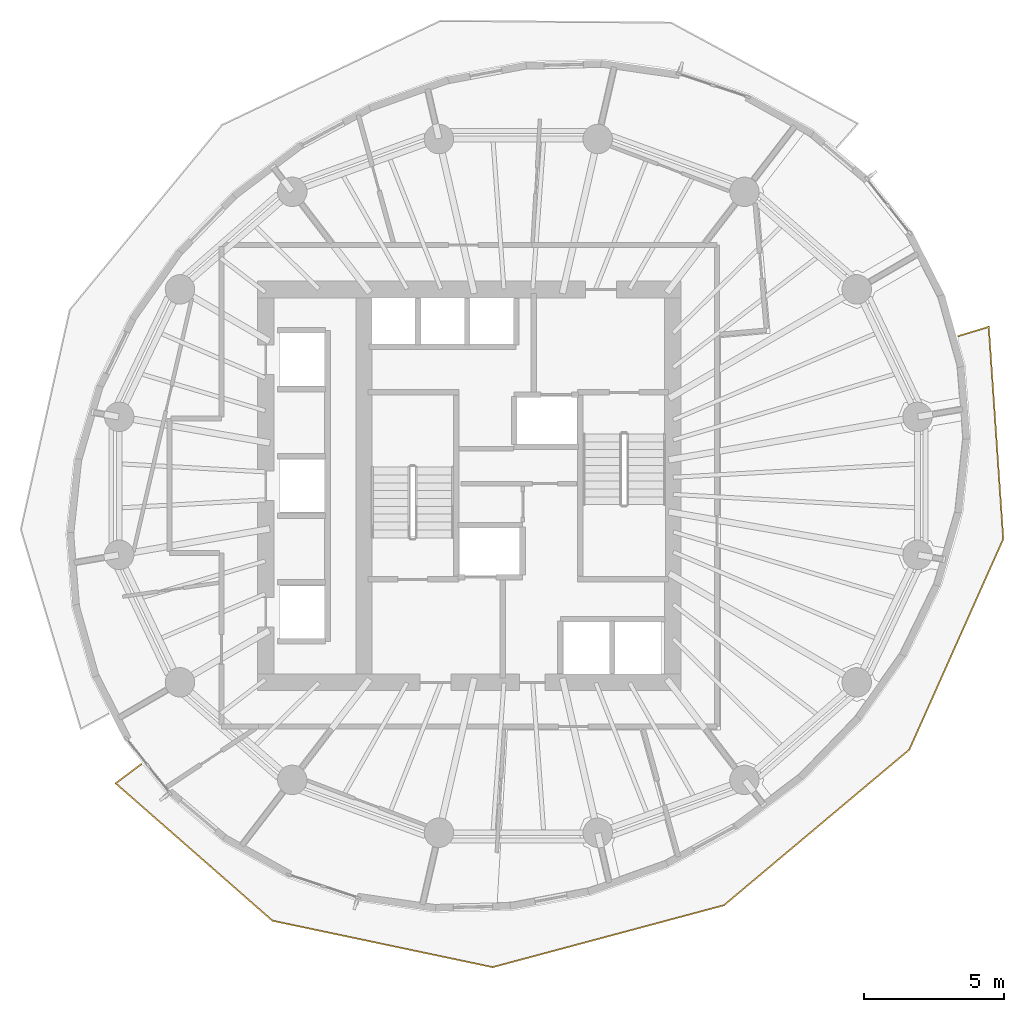
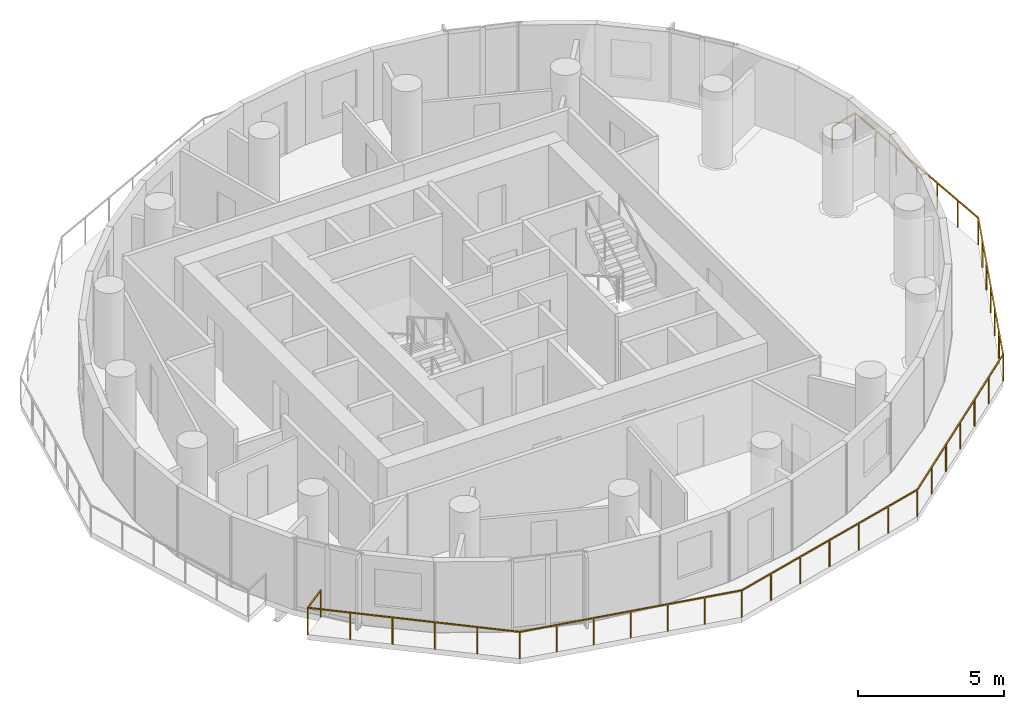
# One storey, part 9 of 12: 1 railing.
"""IFC4 building model written with IfcOpenShell, lengths in metres."""

from ifc_helpers import new_model, si_unit, direction, frame, origin, origin_2d, place, context, subcontext, project, spatial, rectangle, extrude, material, type_object, element, save


model = new_model("IFC4")

# Units and contexts
model_context = context("Model", 3, precision=1e-05, world=origin(), true_north=direction((0.0, 1.0)))
body_context = subcontext(model_context, "Body", "Model", "MODEL_VIEW")
ifc_project = project(units=[si_unit("LENGTHUNIT", "METRE"), si_unit("AREAUNIT", "SQUARE_METRE"), si_unit("VOLUMEUNIT", "CUBIC_METRE"), si_unit("PLANEANGLEUNIT", "RADIAN"), si_unit("MASSUNIT", "GRAM", prefix="KILO")], contexts=[model_context])

# Site, building, storey
site_placement = place(None, origin())
site = spatial("IfcSite", under=ifc_project, at=site_placement, CompositionType="ELEMENT")
building_placement = place(site_placement, origin())
building = spatial("IfcBuilding", under=site, at=building_placement, Name="Veldorim Arch Residences", CompositionType="ELEMENT")
storey_placement = place(building_placement, frame((0.0, 0.0, 136.159912109375)))
storey = spatial("IfcBuildingStorey", under=building, at=storey_placement, Name="L40", CompositionType="ELEMENT", Elevation=136.159912109375)

# Railing
ifc_material = material(Name="Aluminium", Category="aluminium")
railing_type = type_object("IfcRailingType", Name="Balcony & Terrace Laminated Glass Balustrade 1150", PredefinedType="BALUSTRADE", material=ifc_material)
railing_placement = place(storey_placement, frame((18.569580078125, 14.0927734375, 0.0)))
element("IfcRailing", 1, at=railing_placement, inside=storey, type_object=railing_type, Name="L40 crescent balcony safety balustrade B", PredefinedType="BALUSTRADE", context=body_context, shape_type="SweptSolid", body=[
    extrude(rectangle(XDim=0.048095703125, YDim=0.048095703125, at=origin_2d()), frame((0.0, 0.0, 1.1259765625), z_axis=(-0.799005189212, -0.60132412858, 0.0), x_axis=(0.60132412858, -0.799005189212, 0.0)), (0.0, 0.0, 1.0), 1.14990234375),
    extrude(rectangle(XDim=0.048095703125, YDim=0.048095703125, at=origin_2d()), frame((-0.918701171875, -0.69140625, 1.1259765625), z_axis=(0.752091986719, -0.65905814881, 0.0), x_axis=(0.65905814881, 0.752091986719, 0.0)), (0.0, 0.0, 1.0), 7.42919921875),
    extrude(rectangle(XDim=0.048095703125, YDim=0.048095703125, at=origin_2d()), frame((4.668701171875, -5.587646484375, 1.1259765625), z_axis=(0.978449867338, -0.206484520259, 0.0), x_axis=(0.206484520259, 0.978449867338, 0.0)), (0.0, 0.0, 1.0), 8.02001953125),
    extrude(rectangle(XDim=0.048095703125, YDim=0.048095703125, at=origin_2d()), frame((12.515869140625, -7.24365234375, 1.1259765625), z_axis=(0.965983283488, 0.258604516629, 0.0), x_axis=(-0.258604516629, 0.965983283488, 0.0)), (0.0, 0.0, 1.0), 8.533447265625),
    extrude(rectangle(XDim=0.048095703125, YDim=0.048095703125, at=origin_2d()), frame((20.759033203125, -5.036865234375, 1.1259765625), z_axis=(0.765860462133, 0.643006805983, 0.0), x_axis=(-0.643006805983, 0.765860462133, 0.0)), (0.0, 0.0, 1.0), 8.62255859375),
    extrude(rectangle(XDim=0.048095703125, YDim=0.048095703125, at=origin_2d()), frame((27.36279296875, 0.507568359375, 1.1259765625), z_axis=(0.407229376237, 0.913325919445, 0.0), x_axis=(-0.913325919445, 0.407229376237, 0.0)), (0.0, 0.0, 1.0), 8.220458984375),
    extrude(rectangle(XDim=0.048095703125, YDim=0.048095703125, at=origin_2d()), frame((30.71044921875, 8.015625, 1.1259765625), z_axis=(-0.068255718244, 0.997667859023, 0.0), x_axis=(-0.997667859023, -0.068255718244, 0.0)), (0.0, 0.0, 1.0), 7.57568359375),
    extrude(rectangle(XDim=0.048095703125, YDim=0.048095703125, at=origin_2d()), frame((30.193359375, 15.57373046875, 1.1259765625), z_axis=(-0.957281150687, -0.289158777386, 0.0), x_axis=(0.289158777386, -0.957281150687, 0.0)), (0.0, 0.0, 1.0), 1.14990234375),
    extrude(rectangle(XDim=0.0419921875, YDim=0.0419921875, at=origin_2d()), origin(), (0.0, 0.0, 1.0), 1.101806640625),
    extrude(rectangle(XDim=0.0419921875, YDim=0.0419921875, at=origin_2d()), frame((-0.918701171875, -0.69140625, 0.0)), (0.0, 0.0, 1.0), 1.101806640625),
    extrude(rectangle(XDim=0.0419921875, YDim=0.0419921875, at=origin_2d()), frame((0.19873046875, -1.670654296875, 0.0)), (0.0, 0.0, 1.0), 1.101806640625),
    extrude(rectangle(XDim=0.0419921875, YDim=0.0419921875, at=origin_2d()), frame((1.316162109375, -2.64990234375, 0.0)), (0.0, 0.0, 1.0), 1.101806640625),
    extrude(rectangle(XDim=0.0419921875, YDim=0.0419921875, at=origin_2d()), frame((2.433837890625, -3.629150390625, 0.0)), (0.0, 0.0, 1.0), 1.101806640625),
    extrude(rectangle(XDim=0.0419921875, YDim=0.0419921875, at=origin_2d()), frame((3.55126953125, -4.6083984375, 0.0)), (0.0, 0.0, 1.0), 1.101806640625),
    extrude(rectangle(XDim=0.0419921875, YDim=0.0419921875, at=origin_2d()), frame((4.668701171875, -5.587646484375, 0.0)), (0.0, 0.0, 1.0), 1.101806640625),
    extrude(rectangle(XDim=0.0419921875, YDim=0.0419921875, at=origin_2d()), frame((5.9765625, -5.86376953125, 0.0)), (0.0, 0.0, 1.0), 1.101806640625),
    extrude(rectangle(XDim=0.0419921875, YDim=0.0419921875, at=origin_2d()), frame((7.284423828125, -6.1396484375, 0.0)), (0.0, 0.0, 1.0), 1.101806640625),
    extrude(rectangle(XDim=0.0419921875, YDim=0.0419921875, at=origin_2d()), frame((8.59228515625, -6.41552734375, 0.0)), (0.0, 0.0, 1.0), 1.101806640625),
    extrude(rectangle(XDim=0.0419921875, YDim=0.0419921875, at=origin_2d()), frame((9.900146484375, -6.691650390625, 0.0)), (0.0, 0.0, 1.0), 1.101806640625),
    extrude(rectangle(XDim=0.0419921875, YDim=0.0419921875, at=origin_2d()), frame((11.2080078125, -6.9677734375, 0.0)), (0.0, 0.0, 1.0), 1.101806640625),
    extrude(rectangle(XDim=0.0419921875, YDim=0.0419921875, at=origin_2d()), frame((12.515869140625, -7.24365234375, 0.0)), (0.0, 0.0, 1.0), 1.101806640625),
    extrude(rectangle(XDim=0.0419921875, YDim=0.0419921875, at=origin_2d()), frame((13.8896484375, -6.8759765625, 0.0)), (0.0, 0.0, 1.0), 1.101806640625),
    extrude(rectangle(XDim=0.0419921875, YDim=0.0419921875, at=origin_2d()), frame((15.263671875, -6.508056640625, 0.0)), (0.0, 0.0, 1.0), 1.101806640625),
    extrude(rectangle(XDim=0.0419921875, YDim=0.0419921875, at=origin_2d()), frame((16.637451171875, -6.14013671875, 0.0)), (0.0, 0.0, 1.0), 1.101806640625),
    extrude(rectangle(XDim=0.0419921875, YDim=0.0419921875, at=origin_2d()), frame((18.01123046875, -5.7724609375, 0.0)), (0.0, 0.0, 1.0), 1.101806640625),
    extrude(rectangle(XDim=0.0419921875, YDim=0.0419921875, at=origin_2d()), frame((19.38525390625, -5.40478515625, 0.0)), (0.0, 0.0, 1.0), 1.101806640625),
    extrude(rectangle(XDim=0.0419921875, YDim=0.0419921875, at=origin_2d()), frame((20.759033203125, -5.036865234375, 0.0)), (0.0, 0.0, 1.0), 1.101806640625),
    extrude(rectangle(XDim=0.0419921875, YDim=0.0419921875, at=origin_2d()), frame((21.859619140625, -4.11279296875, 0.0)), (0.0, 0.0, 1.0), 1.101806640625),
    extrude(rectangle(XDim=0.0419921875, YDim=0.0419921875, at=origin_2d()), frame((22.960205078125, -3.188720703125, 0.0)), (0.0, 0.0, 1.0), 1.101806640625),
    extrude(rectangle(XDim=0.0419921875, YDim=0.0419921875, at=origin_2d()), frame((24.06103515625, -2.2646484375, 0.0)), (0.0, 0.0, 1.0), 1.101806640625),
    extrude(rectangle(XDim=0.0419921875, YDim=0.0419921875, at=origin_2d()), frame((25.16162109375, -1.340576171875, 0.0)), (0.0, 0.0, 1.0), 1.101806640625),
    extrude(rectangle(XDim=0.0419921875, YDim=0.0419921875, at=origin_2d()), frame((26.26220703125, -0.41650390625, 0.0)), (0.0, 0.0, 1.0), 1.101806640625),
    extrude(rectangle(XDim=0.0419921875, YDim=0.0419921875, at=origin_2d()), frame((27.36279296875, 0.507568359375, 0.0)), (0.0, 0.0, 1.0), 1.101806640625),
    extrude(rectangle(XDim=0.0419921875, YDim=0.0419921875, at=origin_2d()), frame((27.920654296875, 1.7587890625, 0.0)), (0.0, 0.0, 1.0), 1.101806640625),
    extrude(rectangle(XDim=0.0419921875, YDim=0.0419921875, at=origin_2d()), frame((28.478759765625, 3.01025390625, 0.0)), (0.0, 0.0, 1.0), 1.101806640625),
    extrude(rectangle(XDim=0.0419921875, YDim=0.0419921875, at=origin_2d()), frame((29.03662109375, 4.26171875, 0.0)), (0.0, 0.0, 1.0), 1.101806640625),
    extrude(rectangle(XDim=0.0419921875, YDim=0.0419921875, at=origin_2d()), frame((29.594482421875, 5.512939453125, 0.0)), (0.0, 0.0, 1.0), 1.101806640625),
    extrude(rectangle(XDim=0.0419921875, YDim=0.0419921875, at=origin_2d()), frame((30.152587890625, 6.76416015625, 0.0)), (0.0, 0.0, 1.0), 1.101806640625),
    extrude(rectangle(XDim=0.0419921875, YDim=0.0419921875, at=origin_2d()), frame((30.71044921875, 8.015625, 0.0)), (0.0, 0.0, 1.0), 1.101806640625),
    extrude(rectangle(XDim=0.0419921875, YDim=0.0419921875, at=origin_2d()), frame((30.624267578125, 9.275390625, 0.0)), (0.0, 0.0, 1.0), 1.101806640625),
    extrude(rectangle(XDim=0.0419921875, YDim=0.0419921875, at=origin_2d()), frame((30.5380859375, 10.534912109375, 0.0)), (0.0, 0.0, 1.0), 1.101806640625),
    extrude(rectangle(XDim=0.0419921875, YDim=0.0419921875, at=origin_2d()), frame((30.451904296875, 11.794677734375, 0.0)), (0.0, 0.0, 1.0), 1.101806640625),
    extrude(rectangle(XDim=0.0419921875, YDim=0.0419921875, at=origin_2d()), frame((30.36572265625, 13.054443359375, 0.0)), (0.0, 0.0, 1.0), 1.101806640625),
    extrude(rectangle(XDim=0.0419921875, YDim=0.0419921875, at=origin_2d()), frame((30.279541015625, 14.31396484375, 0.0)), (0.0, 0.0, 1.0), 1.101806640625),
    extrude(rectangle(XDim=0.0419921875, YDim=0.0419921875, at=origin_2d()), frame((30.193359375, 15.57373046875, 0.0)), (0.0, 0.0, 1.0), 1.101806640625),
    extrude(rectangle(XDim=0.0419921875, YDim=0.0419921875, at=origin_2d()), frame((29.092529296875, 15.2412109375, 0.0)), (0.0, 0.0, 1.0), 1.101806640625),
])

save(model, "model.ifc")
